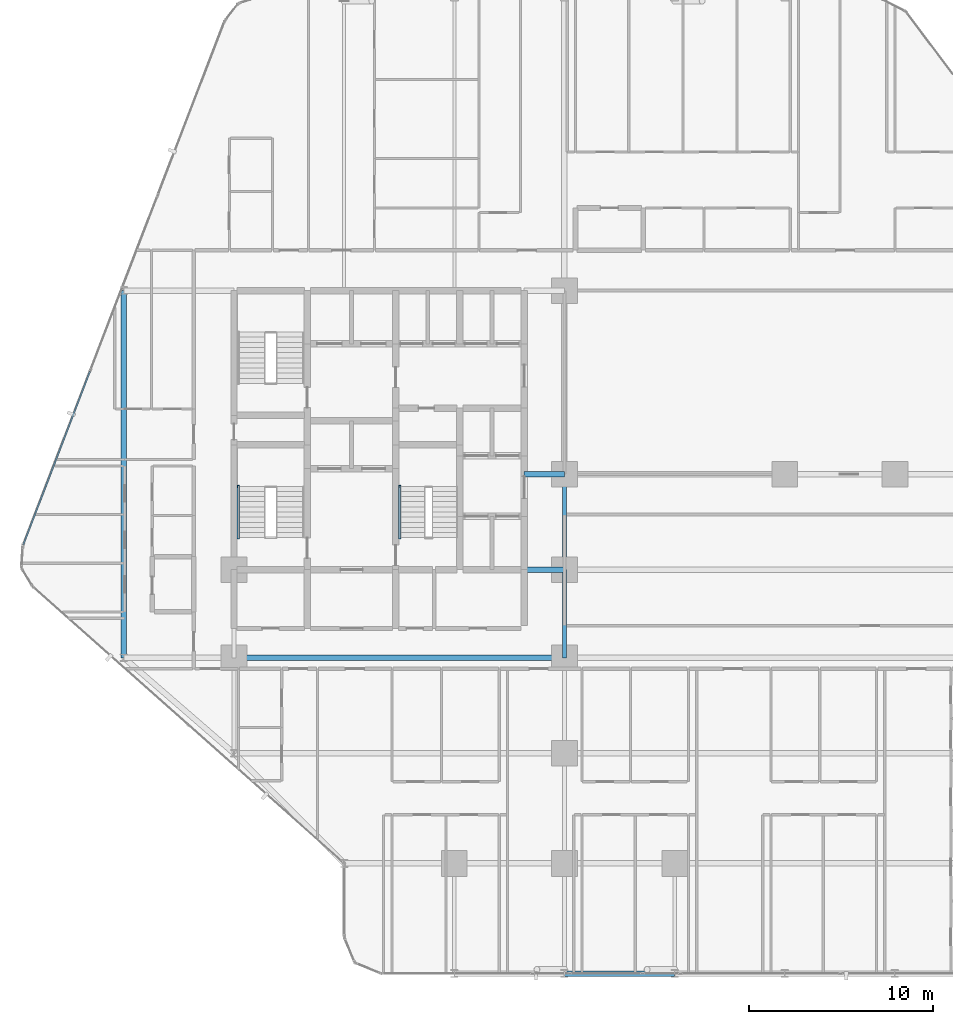
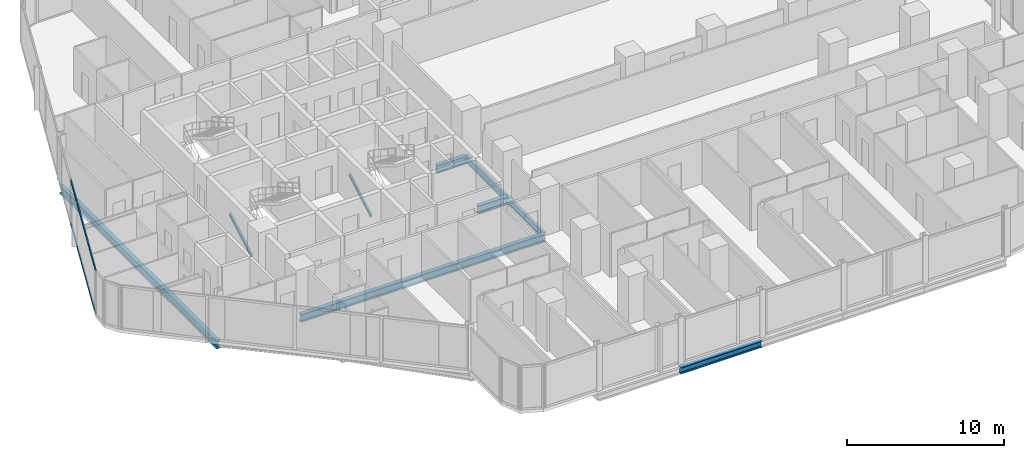
# One storey, part 6 of 35: 7 beams, 4 members, 1 element without a shape of its own.
"""IFC4 building model written with IfcOpenShell, lengths in metres."""

from ifc_helpers import new_model, si_unit, direction, frame, origin, origin_2d, place, context, subcontext, project, spatial, hollow_rectangle, i_section, extrude, material, layer, layer_set, material_profile, profile_set, type_object, element, aggregate, save


model = new_model("IFC4")

# Units and contexts
model_context = context("Model", 3, precision=1e-05, world=origin(), true_north=direction((0.0, 1.0)))
body_context = subcontext(model_context, "Body", "Model", "MODEL_VIEW")
ifc_project = project(units=[si_unit("LENGTHUNIT", "METRE"), si_unit("AREAUNIT", "SQUARE_METRE"), si_unit("VOLUMEUNIT", "CUBIC_METRE"), si_unit("PLANEANGLEUNIT", "RADIAN"), si_unit("MASSUNIT", "GRAM", prefix="KILO")], contexts=[model_context])

# Site, building, storey
site_placement = place(None, origin())
site = spatial("IfcSite", under=ifc_project, at=site_placement, CompositionType="ELEMENT")
building_placement = place(site_placement, origin())
building = spatial("IfcBuilding", under=site, at=building_placement, Name="Keshet Zoharim Tower", CompositionType="ELEMENT")
storey_placement = place(building_placement, frame((0.0, 0.0, 24.0)))
storey = spatial("IfcBuildingStorey", under=building, at=storey_placement, Name="L04", CompositionType="ELEMENT", Elevation=24.0)

# Beams
ifc_material_1 = material(Name="Steel S355", Category="steel")
ifc_material_profile_1 = material_profile(ifc_material_1, i_section(OverallWidth=0.300048828125, OverallDepth=0.60009765625, WebThickness=0.015380859375, FlangeThickness=0.030029296875, FilletRadius=0.027099609375, at=origin_2d()), Name="HEB600")
ifc_profile_set_1 = profile_set([ifc_material_profile_1], Name="Steel S355")
beam_type_1 = type_object("IfcBeamType", Name="BM-CLK-HB600", PredefinedType="BEAM", material=ifc_profile_set_1)
for number, where, z_axis, x_axis, name in (
    (1, (30.800048828125, 22.699951171875, -0.614990234375), (1.0, 0.0, 0.0), (0.0, 1.0, 0.0), "L04 Core Wall Link Girder 01"),
    (2, (30.800048828125, 27.89990234375, -0.614990234375), (1.0, 0.0, 0.0), (0.0, 1.0, 0.0), "L04 Core Wall Link Girder 02"),
):
    element("IfcBeam", number, at=place(storey_placement, frame(where, z_axis=z_axis, x_axis=x_axis)), inside=storey, type_object=beam_type_1, Name=name, PredefinedType="BEAM", context=body_context, shape_type="SweptSolid", body=[
        extrude(i_section(OverallWidth=0.300048828125, OverallDepth=0.60009765625, WebThickness=0.015380859375, FlangeThickness=0.030029296875, FilletRadius=0.027099609375, at=origin_2d()), origin(), (0.0, 0.0, 1.0), 2.199951171875),
    ])
ifc_material_profile_2 = material_profile(ifc_material_1, i_section(OverallWidth=0.300048828125, OverallDepth=0.60009765625, WebThickness=0.015380859375, FlangeThickness=0.030029296875, FilletRadius=0.027099609375, at=origin_2d()), Name="HEB600")
ifc_profile_set_2 = profile_set([ifc_material_profile_2], Name="Steel S355")
beam_type_2 = type_object("IfcBeamType", Name="BM-LNG-HB600", PredefinedType="BEAM", material=ifc_profile_set_2)
beam_1_placement = place(storey_placement, frame((15.0, 17.89990234375, -0.614990234375), z_axis=(1.0, 0.0, 0.0), x_axis=(0.0, 1.0, 0.0)))
element("IfcBeam", 3, at=beam_1_placement, inside=storey, type_object=beam_type_2, Name="L04 Primary Girder X-016", PredefinedType="BEAM", context=body_context, shape_type="SweptSolid", body=[
    extrude(i_section(OverallWidth=0.300048828125, OverallDepth=0.60009765625, WebThickness=0.015380859375, FlangeThickness=0.030029296875, FilletRadius=0.027099609375, at=origin_2d()), origin(), (0.0, 0.0, 1.0), 18.0),
])
beam_2_placement = place(storey_placement, frame((9.0, 17.89990234375, -0.614990234375), z_axis=(0.0, 1.0, 0.0), x_axis=(-1.0, 0.0, 0.0)))
element("IfcBeam", 4, at=beam_2_placement, inside=storey, type_object=beam_type_2, Name="L04 Primary Girder Y-001", PredefinedType="BEAM", context=body_context, shape_type="SweptSolid", body=[
    extrude(i_section(OverallWidth=0.300048828125, OverallDepth=0.60009765625, WebThickness=0.015380859375, FlangeThickness=0.030029296875, FilletRadius=0.027099609375, at=origin_2d()), origin(), (0.0, 0.0, 1.0), 20.0),
])
ifc_material_profile_3 = material_profile(ifc_material_1, i_section(OverallWidth=0.199951171875, OverallDepth=0.5, WebThickness=0.01025390625, FlangeThickness=0.01611328125, FilletRadius=0.02099609375, at=origin_2d()), Name="IPE500")
ifc_profile_set_3 = profile_set([ifc_material_profile_3], Name="Steel S355")
beam_type_3 = type_object("IfcBeamType", Name="BM-PRI-IP500", PredefinedType="BEAM", material=ifc_profile_set_3)
beam_3_placement = place(storey_placement, frame((33.0, 17.89990234375, -0.56494140625), z_axis=(0.0, 1.0, 0.0), x_axis=(-1.0, 0.0, 0.0)))
element("IfcBeam", 5, at=beam_3_placement, inside=storey, type_object=beam_type_3, Name="L04 Primary Girder Y-008", PredefinedType="BEAM", context=body_context, shape_type="SweptSolid", body=[
    extrude(i_section(OverallWidth=0.199951171875, OverallDepth=0.5, WebThickness=0.01025390625, FlangeThickness=0.01611328125, FilletRadius=0.02099609375, at=origin_2d()), origin(), (0.0, 0.0, 1.0), 4.800048828125),
])
beam_4_placement = place(storey_placement, frame((33.0, 22.699951171875, -0.56494140625), z_axis=(0.0, 1.0, 0.0), x_axis=(-1.0, 0.0, 0.0)))
element("IfcBeam", 6, at=beam_4_placement, inside=storey, type_object=beam_type_3, Name="L04 Primary Girder Y-009", PredefinedType="BEAM", context=body_context, shape_type="SweptSolid", body=[
    extrude(i_section(OverallWidth=0.199951171875, OverallDepth=0.5, WebThickness=0.01025390625, FlangeThickness=0.01611328125, FilletRadius=0.02099609375, at=origin_2d()), origin(), (0.0, 0.0, 1.0), 5.199951171875),
])
ifc_material_profile_4 = material_profile(ifc_material_1, i_section(OverallWidth=0.300048828125, OverallDepth=0.5, WebThickness=0.014404296875, FlangeThickness=0.028076171875, FilletRadius=0.027099609375, at=origin_2d()), Name="HEB500")
ifc_profile_set_4 = profile_set([ifc_material_profile_4], Name="Steel S355")
beam_type_4 = type_object("IfcBeamType", Name="BM-WEB-HB500", PredefinedType="BEAM", material=ifc_profile_set_4)
beam_5_placement = place(storey_placement, frame((33.0, 0.699951171875, -0.56494140625), z_axis=(1.0, 0.0, 0.0), x_axis=(0.0, 1.0, 0.0)))
element("IfcBeam", 7, at=beam_5_placement, inside=storey, type_object=beam_type_4, Name="L04 Primary Girder X-002", PredefinedType="BEAM", context=body_context, shape_type="SweptSolid", body=[
    extrude(i_section(OverallWidth=0.300048828125, OverallDepth=0.5, WebThickness=0.014404296875, FlangeThickness=0.028076171875, FilletRadius=0.027099609375, at=origin_2d()), origin(), (0.0, 0.0, 1.0), 6.0),
])

# Curtain wall, members
ifc_material_2 = material(Name="Aluminium 6063-T6", Category="aluminium")
ifc_layer = layer(ifc_material_2, 0.179931640625)
ifc_layer_set = layer_set([ifc_layer], Name="Aluminium 6063-T6")
curtain_wall_type = type_object("IfcCurtainWallType", Name="CW-SYS-01", PredefinedType="NOTDEFINED", material=ifc_layer_set)
curtain_wall_placement = place(storey_placement, origin())
curtain_wall = element("IfcCurtainWall", 8, at=curtain_wall_placement, inside=storey, type_object=curtain_wall_type, Name="L04 Unitised Curtain Wall 04", PredefinedType="NOTDEFINED")
ifc_material_profile_5 = material_profile(ifc_material_2, hollow_rectangle(XDim=0.0849609375, YDim=0.159912109375, WallThickness=0.00439453125, at=origin_2d()), Name="TRN-85x160")
ifc_profile_set_5 = profile_set([ifc_material_profile_5], Name="Aluminium 6063-T6")
member_type_1 = type_object("IfcMemberType", Name="CWT-T16", PredefinedType="USERDEFINED", material=ifc_profile_set_5)
member_1_placement = place(storey_placement, frame((3.522216796875, 24.058349609375, 0.034912109375), z_axis=(0.358993631387, 0.93334000912, 0.0), x_axis=(-0.93334000912, 0.358993631387, 0.0)))
member_1 = element("IfcMember", 9, at=member_1_placement, type_object=member_type_1, Name="CW-01 transom 1.1", ObjectType="TRANSOM", PredefinedType="USERDEFINED", context=body_context, shape_type="SweptSolid", body=[
    extrude(hollow_rectangle(XDim=0.0849609375, YDim=0.159912109375, WallThickness=0.00439453125, at=origin_2d()), origin(), (0.0, 0.0, 1.0), 10.1181640625),
])
member_2_placement = place(storey_placement, frame((3.522216796875, 24.058349609375, 3.35009765625), z_axis=(0.358993631387, 0.93334000912, 0.0), x_axis=(-0.93334000912, 0.358993631387, 0.0)))
member_2 = element("IfcMember", 10, at=member_2_placement, type_object=member_type_1, Name="CW-01 transom 1.2", ObjectType="TRANSOM", PredefinedType="USERDEFINED", context=body_context, shape_type="SweptSolid", body=[
    extrude(hollow_rectangle(XDim=0.0849609375, YDim=0.159912109375, WallThickness=0.00439453125, at=origin_2d()), origin(), (0.0, 0.0, 1.0), 10.1181640625),
])
aggregate(curtain_wall, [member_1, member_2])

# Members
ifc_material_profile_6 = material_profile(ifc_material_1, i_section(OverallWidth=0.1201171875, OverallDepth=0.239990234375, WebThickness=0.006103515625, FlangeThickness=0.009765625, FilletRadius=0.014892578125, at=origin_2d()), Name="IPE240")
ifc_profile_set_6 = profile_set([ifc_material_profile_6], Name="Steel S355")
member_type_2 = type_object("IfcMemberType", Name="MB-STRG-IP240", PredefinedType="STRINGER", material=ifc_profile_set_6)
for number, where, z_axis, x_axis, name in (
    (11, (15.22998046875, 24.43994140625, 0.1201171875), (0.0, 0.866928350432, 0.498432779035), (-1.0, 0.0, 0.0), "L04 ST-01 Flight Steel Stringer"),
    (12, (24.030029296875, 24.43994140625, 0.1201171875), (0.0, 0.866928350432, 0.498432779035), (-1.0, 0.0, 0.0), "L04 ST-03 Flight Steel Stringer"),
):
    element("IfcMember", number, at=place(storey_placement, frame(where, z_axis=z_axis, x_axis=x_axis)), inside=storey, type_object=member_type_2, Name=name, PredefinedType="STRINGER", context=body_context, shape_type="SweptSolid", body=[
        extrude(i_section(OverallWidth=0.1201171875, OverallDepth=0.239990234375, WebThickness=0.006103515625, FlangeThickness=0.009765625, FilletRadius=0.014892578125, at=origin_2d()), origin(), (0.0, 0.0, 1.0), 3.229736328125),
    ])

save(model, "model.ifc")
